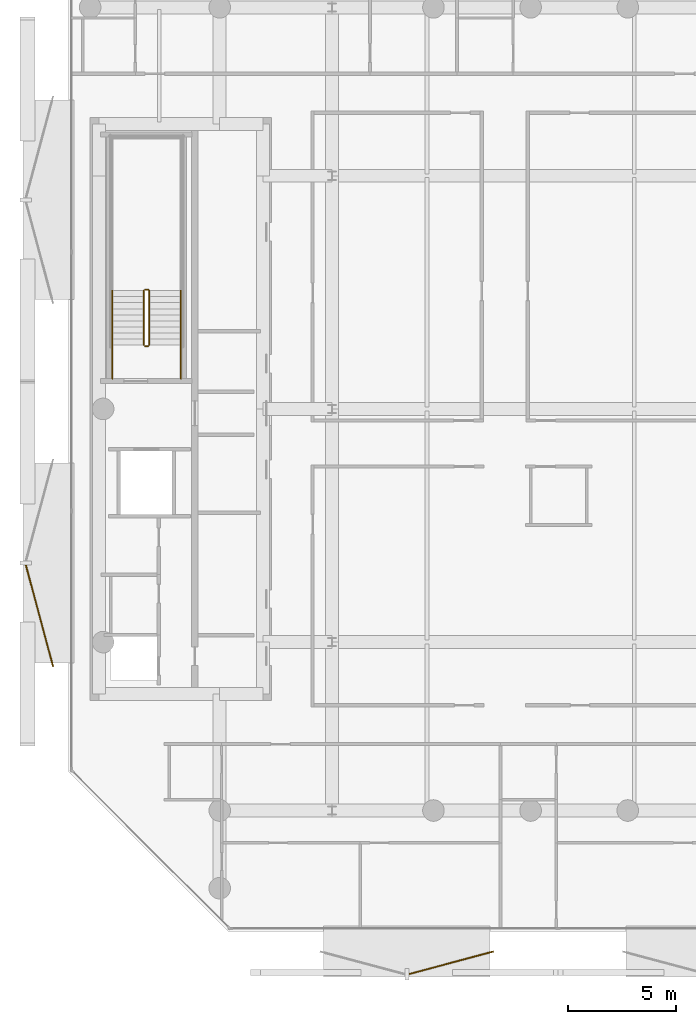
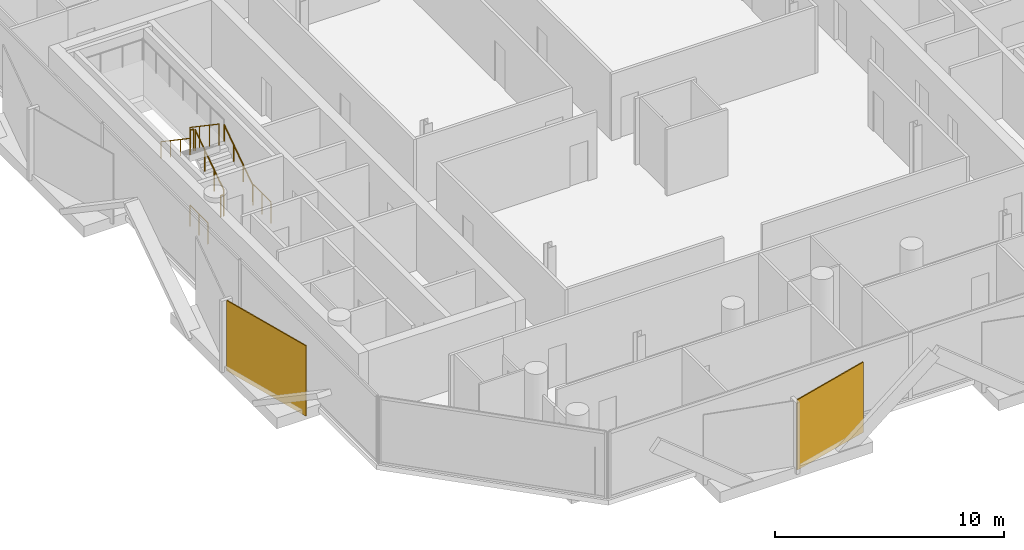
# One storey, part 14 of 16: 8 railings, 2 coverings.
"""IFC4 building model written with IfcOpenShell, lengths in metres."""

from ifc_helpers import new_model, si_unit, direction, frame, origin, origin_2d, place, context, subcontext, project, spatial, rectangle, circle, extrude, material, layer, layer_set, type_object, element, save


model = new_model("IFC4")

# Units and contexts
model_context = context("Model", 3, precision=1e-05, world=origin(), true_north=direction((0.0, 1.0)))
body_context = subcontext(model_context, "Body", "Model", "MODEL_VIEW")
ifc_project = project(units=[si_unit("LENGTHUNIT", "METRE"), si_unit("AREAUNIT", "SQUARE_METRE"), si_unit("VOLUMEUNIT", "CUBIC_METRE"), si_unit("PLANEANGLEUNIT", "RADIAN"), si_unit("MASSUNIT", "GRAM", prefix="KILO")], contexts=[model_context])

# Site, building, storey
site_placement = place(None, origin())
site = spatial("IfcSite", under=ifc_project, at=site_placement, CompositionType="ELEMENT")
building_placement = place(site_placement, origin())
building = spatial("IfcBuilding", under=site, at=building_placement, Name="Khairoan Windgate Tower", CompositionType="ELEMENT")
storey_placement = place(building_placement, frame((0.0, 0.0, 296.60009765625)))
storey = spatial("IfcBuildingStorey", under=building, at=storey_placement, Name="L71", CompositionType="ELEMENT", Elevation=296.60009765625)

# Coverings
ifc_material_1 = material(Name="Anodised Bronze Aluminium 6063-T6", Category="aluminium")
ifc_layer = layer(ifc_material_1, 0.054931640625, Name="Anodised Bronze Aluminium 6063-T6")
ifc_layer_set = layer_set([ifc_layer], Name="Anodised Bronze Aluminium 6063-T6")
covering_type = type_object("IfcCoveringType", Name="Perforated Bronze-Ceramic Folded Solar Screen Cladding BSC-1", PredefinedType="CLADDING", material=ifc_layer_set)
covering_1_placement = place(storey_placement, frame((-3.6806640625, -25.654052734375, -0.10009765625), z_axis=(0.0, 0.0, 1.0), x_axis=(-0.965925826289, -0.258819045103, 0.0)))
element("IfcCovering", 1, at=covering_1_placement, inside=storey, type_object=covering_type, Name="L71 Folded Bronze Solar Screen Facet 495L", PredefinedType="CLADDING", context=body_context, shape_type="SweptSolid", body=[
    extrude(rectangle(XDim=4.06494140625, YDim=0.054931640625, at=origin_2d()), origin(), (0.0, 0.0, 1.0), 3.739990234375),
])
covering_2_placement = place(storey_placement, frame((-22.748779296875, -9.5791015625, -0.10009765625), z_axis=(0.0, 0.0, 1.0), x_axis=(-0.258819045103, 0.965925826289, 0.0)))
element("IfcCovering", 2, at=covering_2_placement, inside=storey, type_object=covering_type, Name="L71 Folded Bronze Solar Screen Facet 496L", PredefinedType="CLADDING", context=body_context, shape_type="SweptSolid", body=[
    extrude(rectangle(XDim=4.876953125, YDim=0.054931640625, at=origin_2d()), origin(), (0.0, 0.0, 1.0), 3.739990234375),
])

# Railings
ifc_material_2 = material(Name="Anodised Bronze Aluminium 6063-T6", Category="aluminium")
railing_type_1 = type_object("IfcRailingType", Name="Stair Wall Handrail SHR-900", PredefinedType="HANDRAIL", material=ifc_material_2)
railing_1_placement = place(storey_placement, frame((-16.199951171875, 2.9599609375, 0.18994140625)))
element("IfcRailing", 3, at=railing_1_placement, inside=storey, type_object=railing_type_1, Name="L71 ST2 stair handrail 1", PredefinedType="HANDRAIL", context=body_context, shape_type="SweptSolid", body=[
    extrude(circle(Radius=0.02392578125, at=origin_2d()), frame((0.0, 0.0, 0.8759765625), z_axis=(0.0, 0.827483756001, 0.561489655786), x_axis=(-1.0, 0.0, 0.0)), (0.0, 0.0, 1.0), 3.04541015625),
    extrude(circle(Radius=0.02099609375, at=origin_2d()), origin(), (0.0, 0.0, 1.0), 0.851806640625),
    extrude(circle(Radius=0.02099609375, at=origin_2d()), frame((0.0, 0.840087890625, 0.570068359375)), (0.0, 0.0, 1.0), 0.851806640625),
    extrude(circle(Radius=0.02099609375, at=origin_2d()), frame((0.0, 1.679931640625, 1.139892578125)), (0.0, 0.0, 1.0), 0.851806640625),
    extrude(circle(Radius=0.02099609375, at=origin_2d()), frame((0.0, 2.52001953125, 1.7099609375)), (0.0, 0.0, 1.0), 0.851806640625),
])
railing_2_placement = place(storey_placement, frame((-19.3701171875, 5.47998046875, 2.08984375)))
element("IfcRailing", 4, at=railing_2_placement, inside=storey, type_object=railing_type_1, Name="L71 ST2 stair handrail 2", PredefinedType="HANDRAIL", context=body_context, shape_type="SweptSolid", body=[
    extrude(circle(Radius=0.02392578125, at=origin_2d()), frame((0.0, 0.0, 0.8759765625), z_axis=(0.0, -0.827483756001, 0.561489655786), x_axis=(1.0, 0.0, 0.0)), (0.0, 0.0, 1.0), 3.04541015625),
    extrude(circle(Radius=0.02099609375, at=origin_2d()), origin(), (0.0, 0.0, 1.0), 0.851806640625),
    extrude(circle(Radius=0.02099609375, at=origin_2d()), frame((0.0, -0.840087890625, 0.570068359375)), (0.0, 0.0, 1.0), 0.851806640625),
    extrude(circle(Radius=0.02099609375, at=origin_2d()), frame((0.0, -1.679931640625, 1.139892578125)), (0.0, 0.0, 1.0), 0.851806640625),
    extrude(circle(Radius=0.02099609375, at=origin_2d()), frame((0.0, -2.52001953125, 1.7099609375)), (0.0, 0.0, 1.0), 0.851806640625),
])
ifc_material_3 = material(Name="Steel S355", Category="steel")
railing_type_2 = type_object("IfcRailingType", Name="Stairwell Safety Guardrail SGR-1150", PredefinedType="GUARDRAIL", material=ifc_material_3)
railing_3_placement = place(storey_placement, frame((-17.659912109375, 2.9599609375, 0.18994140625)))
element("IfcRailing", 5, at=railing_3_placement, inside=storey, type_object=railing_type_2, Name="L71 ST2 stair guard 1", PredefinedType="GUARDRAIL", context=body_context, shape_type="SweptSolid", body=[
    extrude(circle(Radius=0.02392578125, at=origin_2d()), frame((0.0, 0.0, 1.1259765625), z_axis=(0.0, 0.827483756001, 0.561489655786), x_axis=(-1.0, 0.0, 0.0)), (0.0, 0.0, 1.0), 3.04541015625),
    extrude(circle(Radius=0.02099609375, at=origin_2d()), origin(), (0.0, 0.0, 1.0), 1.101806640625),
    extrude(circle(Radius=0.02099609375, at=origin_2d()), frame((0.0, 0.840087890625, 0.570068359375)), (0.0, 0.0, 1.0), 1.101806640625),
    extrude(circle(Radius=0.02099609375, at=origin_2d()), frame((0.0, 1.679931640625, 1.139892578125)), (0.0, 0.0, 1.0), 1.101806640625),
    extrude(circle(Radius=0.02099609375, at=origin_2d()), frame((0.0, 2.52001953125, 1.7099609375)), (0.0, 0.0, 1.0), 1.101806640625),
])
railing_4_placement = place(storey_placement, frame((-17.7099609375, 5.530029296875, 1.89990234375)))
element("IfcRailing", 6, at=railing_4_placement, inside=storey, type_object=railing_type_2, Name="L71 ST2 stair guard 2", PredefinedType="GUARDRAIL", context=body_context, shape_type="SweptSolid", body=[
    extrude(circle(Radius=0.02392578125, at=origin_2d()), frame((0.0, 0.0, 1.1259765625), z_axis=(-1.0, 0.0, 0.0), x_axis=(0.0, -1.0, 0.0)), (0.0, 0.0, 1.0), 0.150146484375),
    extrude(circle(Radius=0.02099609375, at=origin_2d()), origin(), (0.0, 0.0, 1.0), 1.101806640625),
    extrude(circle(Radius=0.02099609375, at=origin_2d()), frame((-0.150146484375, 0.0, 0.0)), (0.0, 0.0, 1.0), 1.101806640625),
])
railing_5_placement = place(storey_placement, frame((-17.909912109375, 5.47998046875, 2.08984375)))
element("IfcRailing", 7, at=railing_5_placement, inside=storey, type_object=railing_type_2, Name="L71 ST2 stair guard 6", PredefinedType="GUARDRAIL", context=body_context, shape_type="SweptSolid", body=[
    extrude(circle(Radius=0.02392578125, at=origin_2d()), frame((0.0, 0.0, 1.1259765625), z_axis=(0.0, -0.827483756001, 0.561489655786), x_axis=(1.0, 0.0, 0.0)), (0.0, 0.0, 1.0), 3.04541015625),
    extrude(circle(Radius=0.02099609375, at=origin_2d()), origin(), (0.0, 0.0, 1.0), 1.101806640625),
    extrude(circle(Radius=0.02099609375, at=origin_2d()), frame((0.0, -0.840087890625, 0.570068359375)), (0.0, 0.0, 1.0), 1.101806640625),
    extrude(circle(Radius=0.02099609375, at=origin_2d()), frame((0.0, -1.679931640625, 1.139892578125)), (0.0, 0.0, 1.0), 1.101806640625),
    extrude(circle(Radius=0.02099609375, at=origin_2d()), frame((0.0, -2.52001953125, 1.7099609375)), (0.0, 0.0, 1.0), 1.101806640625),
])
railing_6_placement = place(storey_placement, frame((-17.7099609375, 2.909912109375, 0.0)))
element("IfcRailing", 8, at=railing_6_placement, inside=storey, type_object=railing_type_2, Name="L71 ST2 stair guard 7", PredefinedType="GUARDRAIL", context=body_context, shape_type="SweptSolid", body=[
    extrude(circle(Radius=0.02392578125, at=origin_2d()), frame((0.0, 0.0, 1.1259765625), z_axis=(-1.0, 0.0, 0.0), x_axis=(0.0, -1.0, 0.0)), (0.0, 0.0, 1.0), 0.150146484375),
    extrude(circle(Radius=0.02099609375, at=origin_2d()), origin(), (0.0, 0.0, 1.0), 1.101806640625),
    extrude(circle(Radius=0.02099609375, at=origin_2d()), frame((-0.150146484375, 0.0, 0.0)), (0.0, 0.0, 1.0), 1.101806640625),
])
for number, where, name in (
    (9, (-16.199951171875, 1.39990234375, 0.0), "L71 ST2 stair guard 8"),
    (10, (-19.3701171875, 1.39990234375, 0.0), "L71 ST2 stair guard 9"),
):
    element("IfcRailing", number, at=place(storey_placement, frame(where)), inside=storey, type_object=railing_type_2, Name=name, PredefinedType="GUARDRAIL", context=body_context, shape_type="SweptSolid", body=[
        extrude(circle(Radius=0.02392578125, at=origin_2d()), frame((0.0, 0.0, 1.1259765625), z_axis=(0.0, 1.0, 0.0), x_axis=(-1.0, 0.0, 0.0)), (0.0, 0.0, 1.0), 1.56005859375),
        extrude(circle(Radius=0.02099609375, at=origin_2d()), origin(), (0.0, 0.0, 1.0), 1.101806640625),
        extrude(circle(Radius=0.02099609375, at=origin_2d()), frame((0.0, 0.780029296875, 0.0)), (0.0, 0.0, 1.0), 1.101806640625),
        extrude(circle(Radius=0.02099609375, at=origin_2d()), frame((0.0, 1.56005859375, 0.0)), (0.0, 0.0, 1.0), 1.101806640625),
    ])

save(model, "model.ifc")
